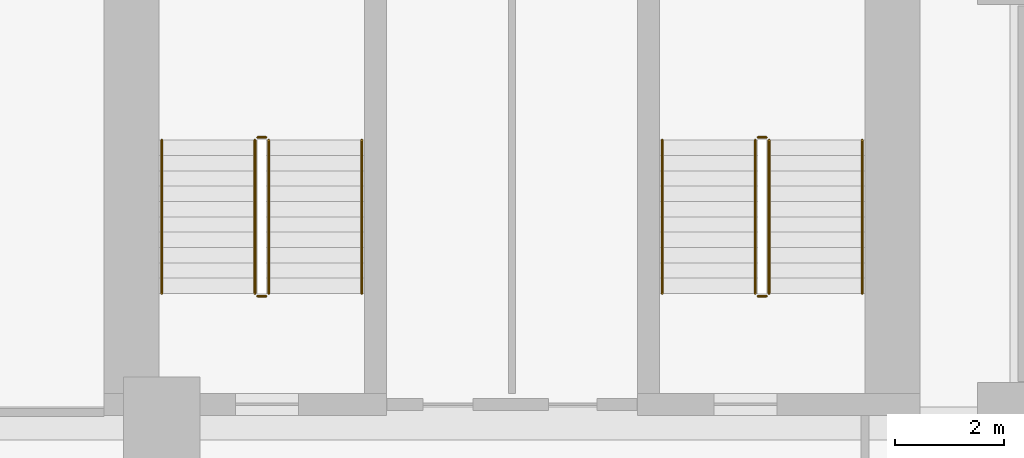
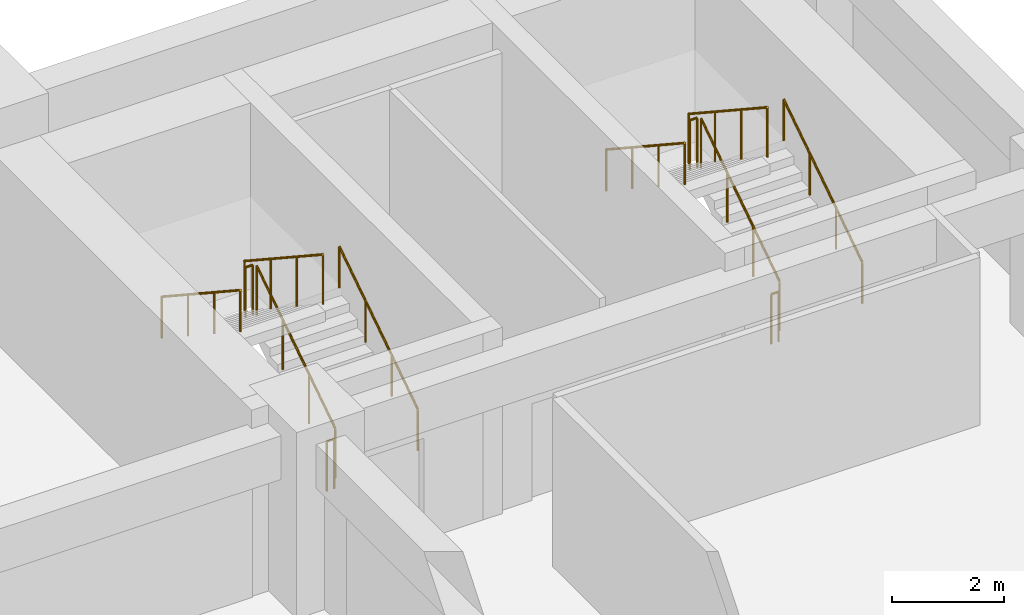
# One storey, part 10 of 11: 12 railings.
"""IFC4 building model written with IfcOpenShell, lengths in metres."""

from ifc_helpers import new_model, si_unit, direction, frame, origin, origin_2d, place, context, subcontext, project, spatial, circle, extrude, material, type_object, element, save


model = new_model("IFC4")

# Units and contexts
model_context = context("Model", 3, precision=1e-05, world=origin(), true_north=direction((0.0, 1.0)))
body_context = subcontext(model_context, "Body", "Model", "MODEL_VIEW")
ifc_project = project(units=[si_unit("LENGTHUNIT", "METRE"), si_unit("AREAUNIT", "SQUARE_METRE"), si_unit("VOLUMEUNIT", "CUBIC_METRE"), si_unit("PLANEANGLEUNIT", "RADIAN"), si_unit("MASSUNIT", "GRAM", prefix="KILO")], contexts=[model_context])

# Site, building, storey
site_placement = place(None, origin())
site = spatial("IfcSite", under=ifc_project, at=site_placement, CompositionType="ELEMENT")
building_placement = place(site_placement, origin())
building = spatial("IfcBuilding", under=site, at=building_placement, Name="Sulina Concourse Tower", CompositionType="ELEMENT")
storey_placement = place(building_placement, frame((0.0, 0.0, 5.39990234375)))
storey = spatial("IfcBuildingStorey", under=building, at=storey_placement, Name="L01", CompositionType="ELEMENT", Elevation=5.39990234375)

# Railings
ifc_material_1 = material(Name="Galvanised steel railing", Category="steel")
railing_type_1 = type_object("IfcRailingType", Name="Core Stair Steel Guardrail 1150mm", PredefinedType="GUARDRAIL", material=ifc_material_1)
railing_1_placement = place(storey_placement, frame((43.554931640625, 36.375, 0.18408203125)))
element("IfcRailing", 1, at=railing_1_placement, inside=storey, type_object=railing_type_1, Name="L01 ST-3 stair guard 1", PredefinedType="GUARDRAIL", context=body_context, shape_type="SweptSolid", body=[
    extrude(circle(Radius=0.02392578125, at=origin_2d()), frame((0.0, 0.0, 1.076171875), z_axis=(0.0, 0.83556406348, 0.549393024911), x_axis=(-1.0, 0.0, 0.0)), (0.0, 0.0, 1.0), 3.35107421875),
    extrude(circle(Radius=0.02099609375, at=origin_2d()), origin(), (0.0, 0.0, 1.0), 1.052001953125),
    extrude(circle(Radius=0.02099609375, at=origin_2d()), frame((0.0, 0.933349609375, 0.61376953125)), (0.0, 0.0, 1.0), 1.052001953125),
    extrude(circle(Radius=0.02099609375, at=origin_2d()), frame((0.0, 1.86669921875, 1.227294921875)), (0.0, 0.0, 1.0), 1.052001953125),
    extrude(circle(Radius=0.02099609375, at=origin_2d()), frame((0.0, 2.800048828125, 1.841064453125)), (0.0, 0.0, 1.0), 1.052001953125),
])
railing_2_placement = place(storey_placement, frame((43.5048828125, 39.22509765625, 2.025146484375)))
element("IfcRailing", 2, at=railing_2_placement, inside=storey, type_object=railing_type_1, Name="L01 ST-3 stair guard 2", PredefinedType="GUARDRAIL", context=body_context, shape_type="SweptSolid", body=[
    extrude(circle(Radius=0.02392578125, at=origin_2d()), frame((0.0, 0.0, 1.076171875), z_axis=(-1.0, 0.0, 0.0), x_axis=(0.0, -1.0, 0.0)), (0.0, 0.0, 1.0), 0.14990234375),
    extrude(circle(Radius=0.02099609375, at=origin_2d()), origin(), (0.0, 0.0, 1.0), 1.052001953125),
    extrude(circle(Radius=0.02099609375, at=origin_2d()), frame((-0.14990234375, 0.0, 0.0)), (0.0, 0.0, 1.0), 1.052001953125),
])
railing_3_placement = place(storey_placement, frame((43.304931640625, 39.175048828125, 2.209228515625)))
element("IfcRailing", 3, at=railing_3_placement, inside=storey, type_object=railing_type_1, Name="L01 ST-3 stair guard 3", PredefinedType="GUARDRAIL", context=body_context, shape_type="SweptSolid", body=[
    extrude(circle(Radius=0.02392578125, at=origin_2d()), frame((0.0, 0.0, 1.076171875), z_axis=(0.0, -0.835597507184, 0.549342157483), x_axis=(1.0, 0.0, 0.0)), (0.0, 0.0, 1.0), 3.35107421875),
    extrude(circle(Radius=0.02099609375, at=origin_2d()), origin(), (0.0, 0.0, 1.0), 1.052001953125),
    extrude(circle(Radius=0.02099609375, at=origin_2d()), frame((0.0, -0.933349609375, 0.613525390625)), (0.0, 0.0, 1.0), 1.052001953125),
    extrude(circle(Radius=0.02099609375, at=origin_2d()), frame((0.0, -1.86669921875, 1.227294921875)), (0.0, 0.0, 1.0), 1.052001953125),
    extrude(circle(Radius=0.02099609375, at=origin_2d()), frame((0.0, -2.800048828125, 1.8408203125)), (0.0, 0.0, 1.0), 1.052001953125),
])
railing_4_placement = place(storey_placement, frame((43.5048828125, 36.324951171875, 0.0)))
element("IfcRailing", 4, at=railing_4_placement, inside=storey, type_object=railing_type_1, Name="L01 ST-3 stair guard 4", PredefinedType="GUARDRAIL", context=body_context, shape_type="SweptSolid", body=[
    extrude(circle(Radius=0.02392578125, at=origin_2d()), frame((0.0, 0.0, 1.076171875), z_axis=(-1.0, 0.0, 0.0), x_axis=(0.0, -1.0, 0.0)), (0.0, 0.0, 1.0), 0.14990234375),
    extrude(circle(Radius=0.02099609375, at=origin_2d()), origin(), (0.0, 0.0, 1.0), 1.052001953125),
    extrude(circle(Radius=0.02099609375, at=origin_2d()), frame((-0.14990234375, 0.0, 0.0)), (0.0, 0.0, 1.0), 1.052001953125),
])
railing_5_placement = place(storey_placement, frame((52.695068359375, 36.375, 0.18408203125)))
element("IfcRailing", 5, at=railing_5_placement, inside=storey, type_object=railing_type_1, Name="L01 ST-4 stair guard 1", PredefinedType="GUARDRAIL", context=body_context, shape_type="SweptSolid", body=[
    extrude(circle(Radius=0.02392578125, at=origin_2d()), frame((0.0, 0.0, 1.076171875), z_axis=(0.0, 0.83556406348, 0.549393024911), x_axis=(-1.0, 0.0, 0.0)), (0.0, 0.0, 1.0), 3.35107421875),
    extrude(circle(Radius=0.02099609375, at=origin_2d()), origin(), (0.0, 0.0, 1.0), 1.052001953125),
    extrude(circle(Radius=0.02099609375, at=origin_2d()), frame((0.0, 0.933349609375, 0.61376953125)), (0.0, 0.0, 1.0), 1.052001953125),
    extrude(circle(Radius=0.02099609375, at=origin_2d()), frame((0.0, 1.86669921875, 1.227294921875)), (0.0, 0.0, 1.0), 1.052001953125),
    extrude(circle(Radius=0.02099609375, at=origin_2d()), frame((0.0, 2.800048828125, 1.841064453125)), (0.0, 0.0, 1.0), 1.052001953125),
])
railing_6_placement = place(storey_placement, frame((52.64501953125, 39.22509765625, 2.025146484375)))
element("IfcRailing", 6, at=railing_6_placement, inside=storey, type_object=railing_type_1, Name="L01 ST-4 stair guard 2", PredefinedType="GUARDRAIL", context=body_context, shape_type="SweptSolid", body=[
    extrude(circle(Radius=0.02392578125, at=origin_2d()), frame((0.0, 0.0, 1.076171875), z_axis=(-1.0, 0.0, 0.0), x_axis=(0.0, -1.0, 0.0)), (0.0, 0.0, 1.0), 0.14990234375),
    extrude(circle(Radius=0.02099609375, at=origin_2d()), origin(), (0.0, 0.0, 1.0), 1.052001953125),
    extrude(circle(Radius=0.02099609375, at=origin_2d()), frame((-0.14990234375, 0.0, 0.0)), (0.0, 0.0, 1.0), 1.052001953125),
])
railing_7_placement = place(storey_placement, frame((52.445068359375, 39.175048828125, 2.209228515625)))
element("IfcRailing", 7, at=railing_7_placement, inside=storey, type_object=railing_type_1, Name="L01 ST-4 stair guard 3", PredefinedType="GUARDRAIL", context=body_context, shape_type="SweptSolid", body=[
    extrude(circle(Radius=0.02392578125, at=origin_2d()), frame((0.0, 0.0, 1.076171875), z_axis=(0.0, -0.835597507184, 0.549342157483), x_axis=(1.0, 0.0, 0.0)), (0.0, 0.0, 1.0), 3.35107421875),
    extrude(circle(Radius=0.02099609375, at=origin_2d()), origin(), (0.0, 0.0, 1.0), 1.052001953125),
    extrude(circle(Radius=0.02099609375, at=origin_2d()), frame((0.0, -0.933349609375, 0.613525390625)), (0.0, 0.0, 1.0), 1.052001953125),
    extrude(circle(Radius=0.02099609375, at=origin_2d()), frame((0.0, -1.86669921875, 1.227294921875)), (0.0, 0.0, 1.0), 1.052001953125),
    extrude(circle(Radius=0.02099609375, at=origin_2d()), frame((0.0, -2.800048828125, 1.8408203125)), (0.0, 0.0, 1.0), 1.052001953125),
])
railing_8_placement = place(storey_placement, frame((52.64501953125, 36.324951171875, 0.0)))
element("IfcRailing", 8, at=railing_8_placement, inside=storey, type_object=railing_type_1, Name="L01 ST-4 stair guard 4", PredefinedType="GUARDRAIL", context=body_context, shape_type="SweptSolid", body=[
    extrude(circle(Radius=0.02392578125, at=origin_2d()), frame((0.0, 0.0, 1.076171875), z_axis=(-1.0, 0.0, 0.0), x_axis=(0.0, -1.0, 0.0)), (0.0, 0.0, 1.0), 0.14990234375),
    extrude(circle(Radius=0.02099609375, at=origin_2d()), origin(), (0.0, 0.0, 1.0), 1.052001953125),
    extrude(circle(Radius=0.02099609375, at=origin_2d()), frame((-0.14990234375, 0.0, 0.0)), (0.0, 0.0, 1.0), 1.052001953125),
])
ifc_material_2 = material(Name="Galvanised steel railing", Category="steel")
railing_type_2 = type_object("IfcRailingType", Name="Stair Wall Steel Handrail 920mm", PredefinedType="HANDRAIL", material=ifc_material_2)
railing_9_placement = place(storey_placement, frame((45.2548828125, 36.375, 0.18408203125)))
element("IfcRailing", 9, at=railing_9_placement, inside=storey, type_object=railing_type_2, Name="L01 ST-3 stair handrail 1", PredefinedType="HANDRAIL", context=body_context, shape_type="SweptSolid", body=[
    extrude(circle(Radius=0.02392578125, at=origin_2d()), frame((0.0, 0.0, 0.89599609375), z_axis=(0.0, 0.83556406348, 0.549393024911), x_axis=(-1.0, 0.0, 0.0)), (0.0, 0.0, 1.0), 3.35107421875),
    extrude(circle(Radius=0.02099609375, at=origin_2d()), origin(), (0.0, 0.0, 1.0), 0.871826171875),
    extrude(circle(Radius=0.02099609375, at=origin_2d()), frame((0.0, 0.933349609375, 0.61376953125)), (0.0, 0.0, 1.0), 0.871826171875),
    extrude(circle(Radius=0.02099609375, at=origin_2d()), frame((0.0, 1.86669921875, 1.227294921875)), (0.0, 0.0, 1.0), 0.871826171875),
    extrude(circle(Radius=0.02099609375, at=origin_2d()), frame((0.0, 2.800048828125, 1.841064453125)), (0.0, 0.0, 1.0), 0.871826171875),
])
railing_10_placement = place(storey_placement, frame((41.60498046875, 39.175048828125, 2.209228515625)))
element("IfcRailing", 10, at=railing_10_placement, inside=storey, type_object=railing_type_2, Name="L01 ST-3 stair handrail 2", PredefinedType="HANDRAIL", context=body_context, shape_type="SweptSolid", body=[
    extrude(circle(Radius=0.02392578125, at=origin_2d()), frame((0.0, 0.0, 0.89599609375), z_axis=(0.0, -0.835597507184, 0.549342157483), x_axis=(1.0, 0.0, 0.0)), (0.0, 0.0, 1.0), 3.35107421875),
    extrude(circle(Radius=0.02099609375, at=origin_2d()), origin(), (0.0, 0.0, 1.0), 0.871826171875),
    extrude(circle(Radius=0.02099609375, at=origin_2d()), frame((0.0, -0.933349609375, 0.613525390625)), (0.0, 0.0, 1.0), 0.871826171875),
    extrude(circle(Radius=0.02099609375, at=origin_2d()), frame((0.0, -1.86669921875, 1.227294921875)), (0.0, 0.0, 1.0), 0.871826171875),
    extrude(circle(Radius=0.02099609375, at=origin_2d()), frame((0.0, -2.800048828125, 1.8408203125)), (0.0, 0.0, 1.0), 0.871826171875),
])
railing_11_placement = place(storey_placement, frame((54.39501953125, 36.375, 0.18408203125)))
element("IfcRailing", 11, at=railing_11_placement, inside=storey, type_object=railing_type_2, Name="L01 ST-4 stair handrail 1", PredefinedType="HANDRAIL", context=body_context, shape_type="SweptSolid", body=[
    extrude(circle(Radius=0.02392578125, at=origin_2d()), frame((0.0, 0.0, 0.89599609375), z_axis=(0.0, 0.83556406348, 0.549393024911), x_axis=(-1.0, 0.0, 0.0)), (0.0, 0.0, 1.0), 3.35107421875),
    extrude(circle(Radius=0.02099609375, at=origin_2d()), origin(), (0.0, 0.0, 1.0), 0.871826171875),
    extrude(circle(Radius=0.02099609375, at=origin_2d()), frame((0.0, 0.933349609375, 0.61376953125)), (0.0, 0.0, 1.0), 0.871826171875),
    extrude(circle(Radius=0.02099609375, at=origin_2d()), frame((0.0, 1.86669921875, 1.227294921875)), (0.0, 0.0, 1.0), 0.871826171875),
    extrude(circle(Radius=0.02099609375, at=origin_2d()), frame((0.0, 2.800048828125, 1.841064453125)), (0.0, 0.0, 1.0), 0.871826171875),
])
railing_12_placement = place(storey_placement, frame((50.7451171875, 39.175048828125, 2.209228515625)))
element("IfcRailing", 12, at=railing_12_placement, inside=storey, type_object=railing_type_2, Name="L01 ST-4 stair handrail 2", PredefinedType="HANDRAIL", context=body_context, shape_type="SweptSolid", body=[
    extrude(circle(Radius=0.02392578125, at=origin_2d()), frame((0.0, 0.0, 0.89599609375), z_axis=(0.0, -0.835597507184, 0.549342157483), x_axis=(1.0, 0.0, 0.0)), (0.0, 0.0, 1.0), 3.35107421875),
    extrude(circle(Radius=0.02099609375, at=origin_2d()), origin(), (0.0, 0.0, 1.0), 0.871826171875),
    extrude(circle(Radius=0.02099609375, at=origin_2d()), frame((0.0, -0.933349609375, 0.613525390625)), (0.0, 0.0, 1.0), 0.871826171875),
    extrude(circle(Radius=0.02099609375, at=origin_2d()), frame((0.0, -1.86669921875, 1.227294921875)), (0.0, 0.0, 1.0), 0.871826171875),
    extrude(circle(Radius=0.02099609375, at=origin_2d()), frame((0.0, -2.800048828125, 1.8408203125)), (0.0, 0.0, 1.0), 0.871826171875),
])

save(model, "model.ifc")
